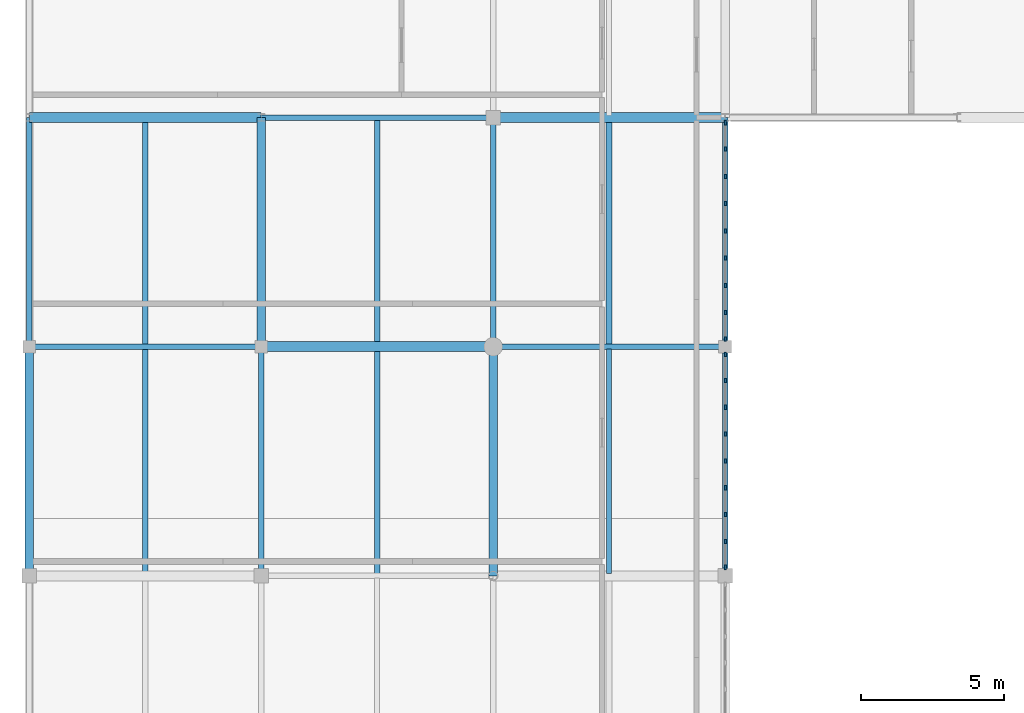
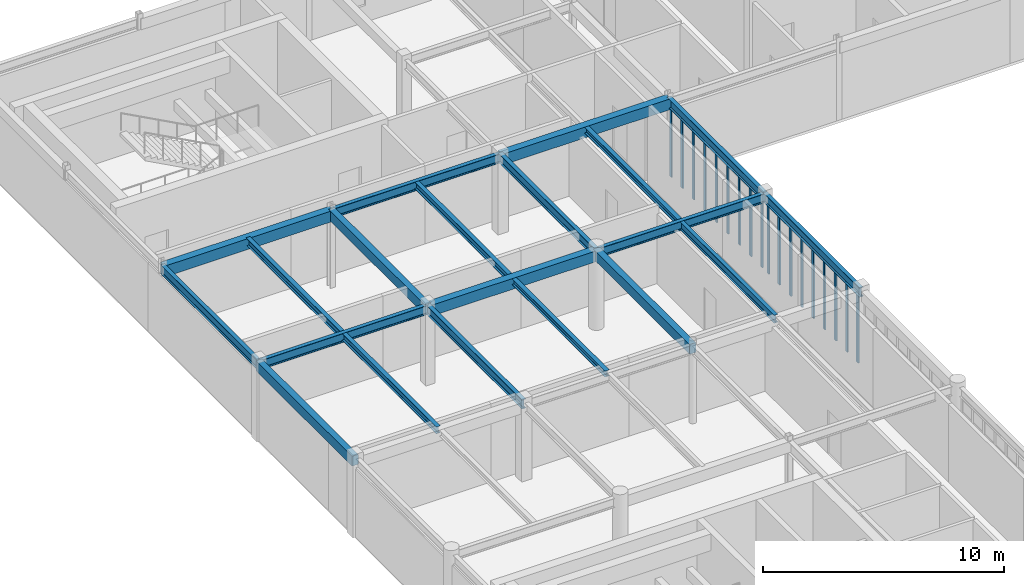
# One storey, part 5 of 18: 20 beams, 18 members, 2 elements without a shape of their own.
"""IFC4 building model written with IfcOpenShell, lengths in metres."""

from ifc_helpers import new_model, si_unit, direction, frame, origin, origin_2d, place, context, subcontext, project, spatial, rectangle, i_section, extrude, material, material_profile, profile_set, type_object, element, aggregate, save


model = new_model("IFC4")

# Units and contexts
model_context = context("Model", 3, precision=1e-05, world=origin(), true_north=direction((0.0, 1.0)))
body_context = subcontext(model_context, "Body", "Model", "MODEL_VIEW")
ifc_project = project(units=[si_unit("LENGTHUNIT", "METRE"), si_unit("AREAUNIT", "SQUARE_METRE"), si_unit("VOLUMEUNIT", "CUBIC_METRE"), si_unit("PLANEANGLEUNIT", "RADIAN"), si_unit("MASSUNIT", "GRAM", prefix="KILO")], contexts=[model_context])

# Site, building, storey
site_placement = place(None, origin())
site = spatial("IfcSite", under=ifc_project, at=site_placement, CompositionType="ELEMENT")
building_placement = place(site_placement, origin())
building = spatial("IfcBuilding", under=site, at=building_placement, Name="Tarnveldt Square Police Headquarters", CompositionType="ELEMENT")
storey_placement = place(building_placement, frame((0.0, 0.0, 29.10009765625)))
storey = spatial("IfcBuildingStorey", under=building, at=storey_placement, Name="L06", CompositionType="ELEMENT", Elevation=29.10009765625)

# Beams
ifc_material_1 = material(Name="Concrete 40 MPa", Category="concrete")
ifc_material_profile_1 = material_profile(ifc_material_1, rectangle(XDim=0.300048828125, YDim=0.5, at=origin_2d()), Name="RC-B300x500")
ifc_profile_set_1 = profile_set([ifc_material_profile_1], Name="Concrete 40 MPa")
beam_type_1 = type_object("IfcBeamType", Name="BM-RC300x500", PredefinedType="BEAM", material=ifc_profile_set_1)
for number, where, z_axis, x_axis, name in (
    (1, (16.199951171875, 80.0, 3.7099609375), (0.0, 1.0, 0.0), (-1.0, 0.0, 0.0), "L07 Grid Girder Y-1111"),
    (2, (24.300048828125, 88.0, 3.7099609375), (0.0, 1.0, 0.0), (-1.0, 0.0, 0.0), "L07 Grid Girder Y-1117"),
    (3, (32.39990234375, 80.0, 3.7099609375), (0.0, 1.0, 0.0), (-1.0, 0.0, 0.0), "L07 Grid Girder Y-1120"),
):
    element("IfcBeam", number, at=place(storey_placement, frame(where, z_axis=z_axis, x_axis=x_axis)), inside=storey, type_object=beam_type_1, Name=name, PredefinedType="BEAM", context=body_context, shape_type="SweptSolid", body=[
        extrude(rectangle(XDim=0.300048828125, YDim=0.5, at=origin_2d()), origin(), (0.0, 0.0, 1.0), 8.0),
    ])
ifc_material_profile_2 = material_profile(ifc_material_1, rectangle(XDim=0.35009765625, YDim=0.550048828125, at=origin_2d()), Name="RC-B350x550")
ifc_profile_set_2 = profile_set([ifc_material_profile_2], Name="Concrete 40 MPa")
beam_type_2 = type_object("IfcBeamType", Name="BM-RC350x550", PredefinedType="BEAM", material=ifc_profile_set_2)
beam_1_placement = place(storey_placement, frame((24.300048828125, 88.0, 3.684814453125), z_axis=(1.0, 0.0, 0.0), x_axis=(0.0, 1.0, 0.0)))
element("IfcBeam", 4, at=beam_1_placement, inside=storey, type_object=beam_type_2, Name="L07 Grid Girder X-1090", PredefinedType="BEAM", context=body_context, shape_type="SweptSolid", body=[
    extrude(rectangle(XDim=0.35009765625, YDim=0.550048828125, at=origin_2d()), origin(), (0.0, 0.0, 1.0), 8.099853515625),
])
for number, where, z_axis, x_axis, name in (
    (5, (16.199951171875, 96.0, 3.684814453125), (1.0, 0.0, 0.0), (0.0, 1.0, 0.0), "L07 Grid Girder X-1092"),
    (6, (32.39990234375, 96.0, 3.684814453125), (1.0, 0.0, 0.0), (0.0, 1.0, 0.0), "L07 Grid Girder X-1094"),
):
    element("IfcBeam", number, at=place(storey_placement, frame(where, z_axis=z_axis, x_axis=x_axis)), inside=storey, type_object=beam_type_2, Name=name, PredefinedType="BEAM", context=body_context, shape_type="SweptSolid", body=[
        extrude(rectangle(XDim=0.35009765625, YDim=0.550048828125, at=origin_2d()), origin(), (0.0, 0.0, 1.0), 8.10009765625),
    ])
ifc_material_2 = material(Name="Steel 350W", Category="steel")
ifc_material_profile_3 = material_profile(ifc_material_2, i_section(OverallWidth=0.202880859375, OverallDepth=0.302978515625, WebThickness=0.007568359375, FlangeThickness=0.01318359375, FilletRadius=0.014892578125, at=origin_2d()), Name="W310x60")
ifc_profile_set_3 = profile_set([ifc_material_profile_3], Name="Steel 350W")
beam_type_3 = type_object("IfcBeamType", Name="BM-W310x60", PredefinedType="JOIST", material=ifc_profile_set_3)
for number, where, z_axis, x_axis, name in (
    (7, (28.35009765625, 80.080078125, 3.808349609375), (0.0, 1.0, 0.0), (-1.0, 0.0, 0.0), "L07 Secondary Floor Joist 0260"),
    (8, (36.449951171875, 88.080078125, 3.808349609375), (0.0, 1.0, 0.0), (-1.0, 0.0, 0.0), "L07 Secondary Floor Joist 0264"),
):
    element("IfcBeam", number, at=place(storey_placement, frame(where, z_axis=z_axis, x_axis=x_axis)), inside=storey, type_object=beam_type_3, Name=name, PredefinedType="JOIST", context=body_context, shape_type="SweptSolid", body=[
        extrude(i_section(OverallWidth=0.202880859375, OverallDepth=0.302978515625, WebThickness=0.007568359375, FlangeThickness=0.01318359375, FilletRadius=0.014892578125, at=origin_2d()), origin(), (0.0, 0.0, 1.0), 7.83984375),
    ])
ifc_material_profile_4 = material_profile(ifc_material_2, i_section(OverallWidth=0.202880859375, OverallDepth=0.346923828125, WebThickness=0.0078125, FlangeThickness=0.013427734375, FilletRadius=0.01611328125, at=origin_2d()), Name="W360x64")
ifc_profile_set_4 = profile_set([ifc_material_profile_4], Name="Steel 350W")
beam_type_4 = type_object("IfcBeamType", Name="BM-W360x64", PredefinedType="JOIST", material=ifc_profile_set_4)
for number, where, z_axis, x_axis, name in (
    (9, (20.25, 80.080078125, 3.786376953125), (0.0, 1.0, 0.0), (-1.0, 0.0, 0.0), "L07 Secondary Floor Joist 0259"),
    (10, (28.35009765625, 88.080078125, 3.786376953125), (0.0, 1.0, 0.0), (-1.0, 0.0, 0.0), "L07 Secondary Floor Joist 0263"),
):
    element("IfcBeam", number, at=place(storey_placement, frame(where, z_axis=z_axis, x_axis=x_axis)), inside=storey, type_object=beam_type_4, Name=name, PredefinedType="JOIST", context=body_context, shape_type="SweptSolid", body=[
        extrude(i_section(OverallWidth=0.202880859375, OverallDepth=0.346923828125, WebThickness=0.0078125, FlangeThickness=0.013427734375, FilletRadius=0.01611328125, at=origin_2d()), origin(), (0.0, 0.0, 1.0), 7.83984375),
    ])
ifc_material_profile_5 = material_profile(ifc_material_2, i_section(OverallWidth=0.205078125, OverallDepth=0.35400390625, WebThickness=0.009521484375, FlangeThickness=0.016845703125, FilletRadius=0.01611328125, at=origin_2d()), Name="W360x79")
ifc_profile_set_5 = profile_set([ifc_material_profile_5], Name="Steel 350W")
beam_type_5 = type_object("IfcBeamType", Name="BM-W360x79", PredefinedType="JOIST", material=ifc_profile_set_5)
beam_2_placement = place(storey_placement, frame((20.25, 88.080078125, 3.782958984375), z_axis=(0.0, 1.0, 0.0), x_axis=(-1.0, 0.0, 0.0)))
element("IfcBeam", 11, at=beam_2_placement, inside=storey, type_object=beam_type_5, Name="L07 Secondary Floor Joist 0262", PredefinedType="JOIST", context=body_context, shape_type="SweptSolid", body=[
    extrude(i_section(OverallWidth=0.205078125, OverallDepth=0.35400390625, WebThickness=0.009521484375, FlangeThickness=0.016845703125, FilletRadius=0.01611328125, at=origin_2d()), origin(), (0.0, 0.0, 1.0), 7.83984375),
])
ifc_material_profile_6 = material_profile(ifc_material_2, i_section(OverallWidth=0.177978515625, OverallDepth=0.406982421875, WebThickness=0.0078125, FlangeThickness=0.0126953125, FilletRadius=0.01611328125, at=origin_2d()), Name="W410x60")
ifc_profile_set_6 = profile_set([ifc_material_profile_6], Name="Steel 350W")
beam_type_6 = type_object("IfcBeamType", Name="BM-W410x60", PredefinedType="JOIST", material=ifc_profile_set_6)
beam_3_placement = place(storey_placement, frame((36.449951171875, 80.080078125, 3.75634765625), z_axis=(0.0, 1.0, 0.0), x_axis=(-1.0, 0.0, 0.0)))
element("IfcBeam", 12, at=beam_3_placement, inside=storey, type_object=beam_type_6, Name="L07 Secondary Floor Joist 0261", PredefinedType="JOIST", context=body_context, shape_type="SweptSolid", body=[
    extrude(i_section(OverallWidth=0.177978515625, OverallDepth=0.406982421875, WebThickness=0.0078125, FlangeThickness=0.0126953125, FilletRadius=0.01611328125, at=origin_2d()), origin(), (0.0, 0.0, 1.0), 7.83984375),
])
ifc_material_profile_7 = material_profile(ifc_material_2, i_section(OverallWidth=0.19189453125, OverallDepth=0.462890625, WebThickness=0.010498046875, FlangeThickness=0.017578125, FilletRadius=0.01806640625, at=origin_2d()), Name="W460x89")
ifc_profile_set_7 = profile_set([ifc_material_profile_7], Name="Steel 350W")
beam_type_7 = type_object("IfcBeamType", Name="BM-W460x89", PredefinedType="BEAM", material=ifc_profile_set_7)
for number, where, z_axis, x_axis, name in (
    (13, (16.199951171875, 88.0, 3.728515625), (1.0, 0.0, 0.0), (0.0, 1.0, 0.0), "L07 Grid Girder X-1089"),
    (14, (32.39990234375, 88.0, 3.728515625), (1.0, 0.0, 0.0), (0.0, 1.0, 0.0), "L07 Grid Girder X-1091"),
):
    element("IfcBeam", number, at=place(storey_placement, frame(where, z_axis=z_axis, x_axis=x_axis)), inside=storey, type_object=beam_type_7, Name=name, PredefinedType="BEAM", context=body_context, shape_type="SweptSolid", body=[
        extrude(i_section(OverallWidth=0.19189453125, OverallDepth=0.462890625, WebThickness=0.010498046875, FlangeThickness=0.017578125, FilletRadius=0.01806640625, at=origin_2d()), origin(), (0.0, 0.0, 1.0), 8.10009765625),
    ])
beam_4_placement = place(storey_placement, frame((24.300048828125, 96.0, 3.728515625), z_axis=(1.0, 0.0, 0.0), x_axis=(0.0, 1.0, 0.0)))
element("IfcBeam", 15, at=beam_4_placement, inside=storey, type_object=beam_type_7, Name="L07 Grid Girder X-1093", PredefinedType="BEAM", context=body_context, shape_type="SweptSolid", body=[
    extrude(i_section(OverallWidth=0.19189453125, OverallDepth=0.462890625, WebThickness=0.010498046875, FlangeThickness=0.017578125, FilletRadius=0.01806640625, at=origin_2d()), origin(), (0.0, 0.0, 1.0), 8.099853515625),
])
for number, where, z_axis, x_axis, name in (
    (16, (16.199951171875, 88.0, 3.728515625), (0.0, 1.0, 0.0), (-1.0, 0.0, 0.0), "L07 Grid Girder Y-1112"),
    (17, (24.300048828125, 80.0, 3.728515625), (0.0, 1.0, 0.0), (-1.0, 0.0, 0.0), "L07 Grid Girder Y-1116"),
    (18, (32.39990234375, 88.0, 3.728515625), (0.0, 1.0, 0.0), (-1.0, 0.0, 0.0), "L07 Grid Girder Y-1121"),
    (19, (40.5, 80.0, 3.728515625), (0.0, 1.0, 0.0), (-1.0, 0.0, 0.0), "L07 Grid Girder Y-1127"),
    (20, (40.5, 88.0, 3.728515625), (0.0, 1.0, 0.0), (-1.0, 0.0, 0.0), "L07 Grid Girder Y-1128"),
):
    element("IfcBeam", number, at=place(storey_placement, frame(where, z_axis=z_axis, x_axis=x_axis)), inside=storey, type_object=beam_type_7, Name=name, PredefinedType="BEAM", context=body_context, shape_type="SweptSolid", body=[
        extrude(i_section(OverallWidth=0.19189453125, OverallDepth=0.462890625, WebThickness=0.010498046875, FlangeThickness=0.017578125, FilletRadius=0.01806640625, at=origin_2d()), origin(), (0.0, 0.0, 1.0), 8.0),
    ])

# Curtain wall, members
ifc_material_3 = material(Name="Triple-glazed low-e laminated vision glass", Category="glass")
curtain_wall_type_1 = type_object("IfcCurtainWallType", Name="CW-UP-750x349", PredefinedType="USERDEFINED", material=ifc_material_3)
curtain_wall_1_placement = place(storey_placement, origin())
curtain_wall_1 = element("IfcCurtainWall", 21, at=curtain_wall_1_placement, inside=storey, type_object=curtain_wall_type_1, Name="L06 Curtain Wall CW-L06-092", ObjectType="GLAZED CURTAIN WALL", PredefinedType="USERDEFINED")
ifc_material_4 = material(Name="Thermally broken anodised aluminium 6063-T6", Category="aluminium")
ifc_material_profile_8 = material_profile(ifc_material_4, rectangle(XDim=0.06494140625, YDim=0.159912109375, at=origin_2d()), Name="CW-M65x160")
ifc_profile_set_8 = profile_set([ifc_material_profile_8], Name="Thermally broken anodised aluminium 6063-T6")
member_type = type_object("IfcMemberType", Name="CWM-65x160", PredefinedType="MULLION", material=ifc_profile_set_8)
member_1_placement = place(storey_placement, frame((40.5, 80.297607421875, 0.0), z_axis=(0.0, 0.0, 1.0), x_axis=(-1.0, 0.0, 0.0)))
member_1 = element("IfcMember", 22, at=member_1_placement, type_object=member_type, Name="CW-UP49 mullion 1", PredefinedType="MULLION", context=body_context, shape_type="SweptSolid", body=[
    extrude(rectangle(XDim=0.06494140625, YDim=0.159912109375, at=origin_2d()), origin(), (0.0, 0.0, 1.0), 3.489013671875),
])
member_2_placement = place(storey_placement, frame((40.5, 81.201904296875, 0.0), z_axis=(0.0, 0.0, 1.0), x_axis=(-1.0, 0.0, 0.0)))
member_2 = element("IfcMember", 23, at=member_2_placement, type_object=member_type, Name="CW-UP49 mullion 2", PredefinedType="MULLION", context=body_context, shape_type="SweptSolid", body=[
    extrude(rectangle(XDim=0.06494140625, YDim=0.159912109375, at=origin_2d()), origin(), (0.0, 0.0, 1.0), 3.489013671875),
])
member_3_placement = place(storey_placement, frame((40.5, 82.138671875, 0.0), z_axis=(0.0, 0.0, 1.0), x_axis=(-1.0, 0.0, 0.0)))
member_3 = element("IfcMember", 24, at=member_3_placement, type_object=member_type, Name="CW-UP49 mullion 3", PredefinedType="MULLION", context=body_context, shape_type="SweptSolid", body=[
    extrude(rectangle(XDim=0.06494140625, YDim=0.159912109375, at=origin_2d()), origin(), (0.0, 0.0, 1.0), 3.489013671875),
])
member_4_placement = place(storey_placement, frame((40.5, 83.07568359375, 0.0), z_axis=(0.0, 0.0, 1.0), x_axis=(-1.0, 0.0, 0.0)))
member_4 = element("IfcMember", 25, at=member_4_placement, type_object=member_type, Name="CW-UP49 mullion 4", PredefinedType="MULLION", context=body_context, shape_type="SweptSolid", body=[
    extrude(rectangle(XDim=0.06494140625, YDim=0.159912109375, at=origin_2d()), origin(), (0.0, 0.0, 1.0), 3.489013671875),
])
member_5_placement = place(storey_placement, frame((40.5, 84.012451171875, 0.0), z_axis=(0.0, 0.0, 1.0), x_axis=(-1.0, 0.0, 0.0)))
member_5 = element("IfcMember", 26, at=member_5_placement, type_object=member_type, Name="CW-UP49 mullion 5", PredefinedType="MULLION", context=body_context, shape_type="SweptSolid", body=[
    extrude(rectangle(XDim=0.06494140625, YDim=0.159912109375, at=origin_2d()), origin(), (0.0, 0.0, 1.0), 3.489013671875),
])
member_6_placement = place(storey_placement, frame((40.5, 84.949462890625, 0.0), z_axis=(0.0, 0.0, 1.0), x_axis=(-1.0, 0.0, 0.0)))
member_6 = element("IfcMember", 27, at=member_6_placement, type_object=member_type, Name="CW-UP49 mullion 6", PredefinedType="MULLION", context=body_context, shape_type="SweptSolid", body=[
    extrude(rectangle(XDim=0.06494140625, YDim=0.159912109375, at=origin_2d()), origin(), (0.0, 0.0, 1.0), 3.489013671875),
])
member_7_placement = place(storey_placement, frame((40.5, 85.88623046875, 0.0), z_axis=(0.0, 0.0, 1.0), x_axis=(-1.0, 0.0, 0.0)))
member_7 = element("IfcMember", 28, at=member_7_placement, type_object=member_type, Name="CW-UP49 mullion 7", PredefinedType="MULLION", context=body_context, shape_type="SweptSolid", body=[
    extrude(rectangle(XDim=0.06494140625, YDim=0.159912109375, at=origin_2d()), origin(), (0.0, 0.0, 1.0), 3.489013671875),
])
member_8_placement = place(storey_placement, frame((40.5, 86.8232421875, 0.0), z_axis=(0.0, 0.0, 1.0), x_axis=(-1.0, 0.0, 0.0)))
member_8 = element("IfcMember", 29, at=member_8_placement, type_object=member_type, Name="CW-UP49 mullion 8", PredefinedType="MULLION", context=body_context, shape_type="SweptSolid", body=[
    extrude(rectangle(XDim=0.06494140625, YDim=0.159912109375, at=origin_2d()), origin(), (0.0, 0.0, 1.0), 3.489013671875),
])
member_9_placement = place(storey_placement, frame((40.5, 87.7275390625, 0.0), z_axis=(0.0, 0.0, 1.0), x_axis=(-1.0, 0.0, 0.0)))
member_9 = element("IfcMember", 30, at=member_9_placement, type_object=member_type, Name="CW-UP49 mullion 9", PredefinedType="MULLION", context=body_context, shape_type="SweptSolid", body=[
    extrude(rectangle(XDim=0.06494140625, YDim=0.159912109375, at=origin_2d()), origin(), (0.0, 0.0, 1.0), 3.489013671875),
])
aggregate(curtain_wall_1, [member_1, member_2, member_3, member_4, member_5, member_6, member_7, member_8, member_9])

curtain_wall_type_2 = type_object("IfcCurtainWallType", Name="CW-UP-762x349", PredefinedType="USERDEFINED", material=ifc_material_3)
curtain_wall_2_placement = place(storey_placement, origin())
curtain_wall_2 = element("IfcCurtainWall", 31, at=curtain_wall_2_placement, inside=storey, type_object=curtain_wall_type_2, Name="L06 Curtain Wall CW-L06-093", ObjectType="GLAZED CURTAIN WALL", PredefinedType="USERDEFINED")
member_10_placement = place(storey_placement, frame((40.5, 88.2724609375, 0.0), z_axis=(0.0, 0.0, 1.0), x_axis=(-1.0, 0.0, 0.0)))
member_10 = element("IfcMember", 32, at=member_10_placement, type_object=member_type, Name="CW-UP50 mullion 1", PredefinedType="MULLION", context=body_context, shape_type="SweptSolid", body=[
    extrude(rectangle(XDim=0.06494140625, YDim=0.159912109375, at=origin_2d()), origin(), (0.0, 0.0, 1.0), 3.489013671875),
])
member_11_placement = place(storey_placement, frame((40.5, 89.19189453125, 0.0), z_axis=(0.0, 0.0, 1.0), x_axis=(-1.0, 0.0, 0.0)))
member_11 = element("IfcMember", 33, at=member_11_placement, type_object=member_type, Name="CW-UP50 mullion 2", PredefinedType="MULLION", context=body_context, shape_type="SweptSolid", body=[
    extrude(rectangle(XDim=0.06494140625, YDim=0.159912109375, at=origin_2d()), origin(), (0.0, 0.0, 1.0), 3.489013671875),
])
member_12_placement = place(storey_placement, frame((40.5, 90.143798828125, 0.0), z_axis=(0.0, 0.0, 1.0), x_axis=(-1.0, 0.0, 0.0)))
member_12 = element("IfcMember", 34, at=member_12_placement, type_object=member_type, Name="CW-UP50 mullion 3", PredefinedType="MULLION", context=body_context, shape_type="SweptSolid", body=[
    extrude(rectangle(XDim=0.06494140625, YDim=0.159912109375, at=origin_2d()), origin(), (0.0, 0.0, 1.0), 3.489013671875),
])
member_13_placement = place(storey_placement, frame((40.5, 91.095703125, 0.0), z_axis=(0.0, 0.0, 1.0), x_axis=(-1.0, 0.0, 0.0)))
member_13 = element("IfcMember", 35, at=member_13_placement, type_object=member_type, Name="CW-UP50 mullion 4", PredefinedType="MULLION", context=body_context, shape_type="SweptSolid", body=[
    extrude(rectangle(XDim=0.06494140625, YDim=0.159912109375, at=origin_2d()), origin(), (0.0, 0.0, 1.0), 3.489013671875),
])
member_14_placement = place(storey_placement, frame((40.5, 92.047607421875, 0.0), z_axis=(0.0, 0.0, 1.0), x_axis=(-1.0, 0.0, 0.0)))
member_14 = element("IfcMember", 36, at=member_14_placement, type_object=member_type, Name="CW-UP50 mullion 5", PredefinedType="MULLION", context=body_context, shape_type="SweptSolid", body=[
    extrude(rectangle(XDim=0.06494140625, YDim=0.159912109375, at=origin_2d()), origin(), (0.0, 0.0, 1.0), 3.489013671875),
])
member_15_placement = place(storey_placement, frame((40.5, 92.999267578125, 0.0), z_axis=(0.0, 0.0, 1.0), x_axis=(-1.0, 0.0, 0.0)))
member_15 = element("IfcMember", 37, at=member_15_placement, type_object=member_type, Name="CW-UP50 mullion 6", PredefinedType="MULLION", context=body_context, shape_type="SweptSolid", body=[
    extrude(rectangle(XDim=0.06494140625, YDim=0.159912109375, at=origin_2d()), origin(), (0.0, 0.0, 1.0), 3.489013671875),
])
member_16_placement = place(storey_placement, frame((40.5, 93.951171875, 0.0), z_axis=(0.0, 0.0, 1.0), x_axis=(-1.0, 0.0, 0.0)))
member_16 = element("IfcMember", 38, at=member_16_placement, type_object=member_type, Name="CW-UP50 mullion 7", PredefinedType="MULLION", context=body_context, shape_type="SweptSolid", body=[
    extrude(rectangle(XDim=0.06494140625, YDim=0.159912109375, at=origin_2d()), origin(), (0.0, 0.0, 1.0), 3.489013671875),
])
member_17_placement = place(storey_placement, frame((40.5, 94.903076171875, 0.0), z_axis=(0.0, 0.0, 1.0), x_axis=(-1.0, 0.0, 0.0)))
member_17 = element("IfcMember", 39, at=member_17_placement, type_object=member_type, Name="CW-UP50 mullion 8", PredefinedType="MULLION", context=body_context, shape_type="SweptSolid", body=[
    extrude(rectangle(XDim=0.06494140625, YDim=0.159912109375, at=origin_2d()), origin(), (0.0, 0.0, 1.0), 3.489013671875),
])
member_18_placement = place(storey_placement, frame((40.5, 95.822509765625, 0.0), z_axis=(0.0, 0.0, 1.0), x_axis=(-1.0, 0.0, 0.0)))
member_18 = element("IfcMember", 40, at=member_18_placement, type_object=member_type, Name="CW-UP50 mullion 9", PredefinedType="MULLION", context=body_context, shape_type="SweptSolid", body=[
    extrude(rectangle(XDim=0.06494140625, YDim=0.159912109375, at=origin_2d()), origin(), (0.0, 0.0, 1.0), 3.489013671875),
])
aggregate(curtain_wall_2, [member_10, member_11, member_12, member_13, member_14, member_15, member_16, member_17, member_18])

save(model, "model.ifc")
